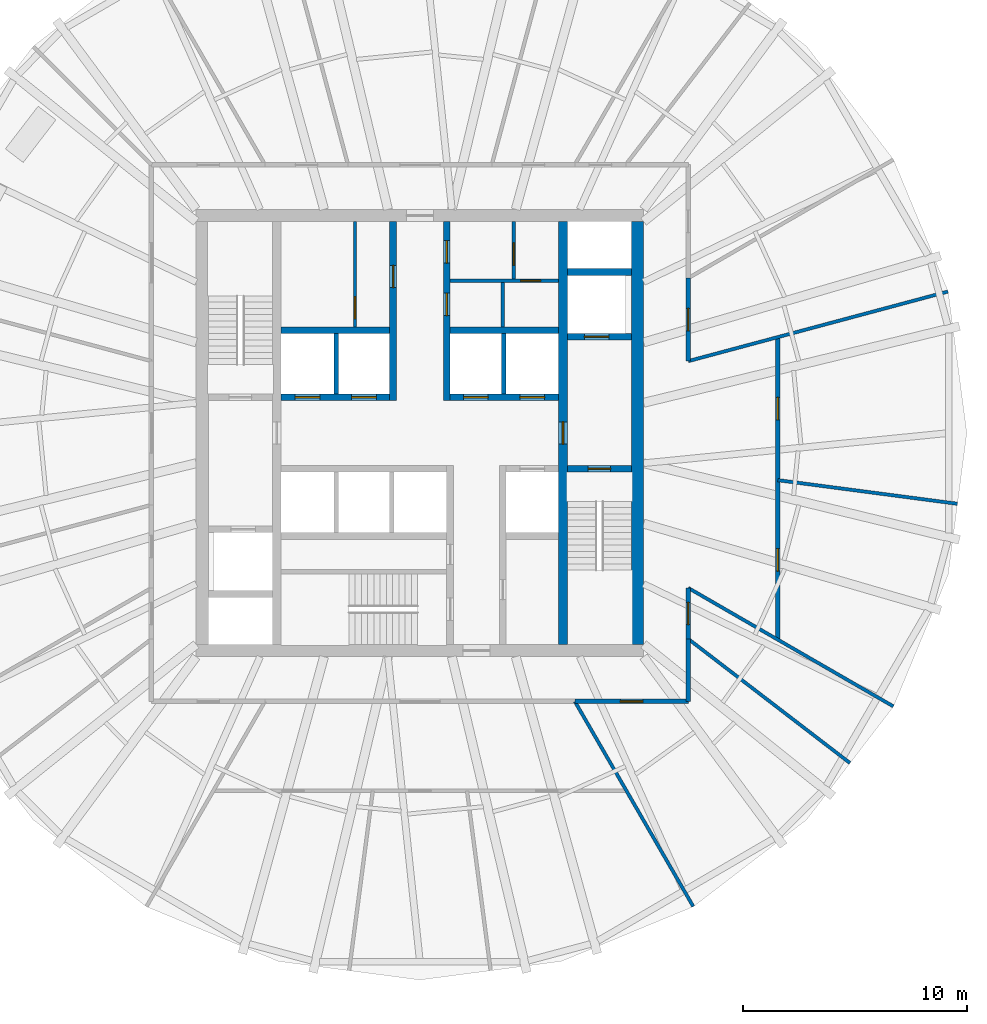
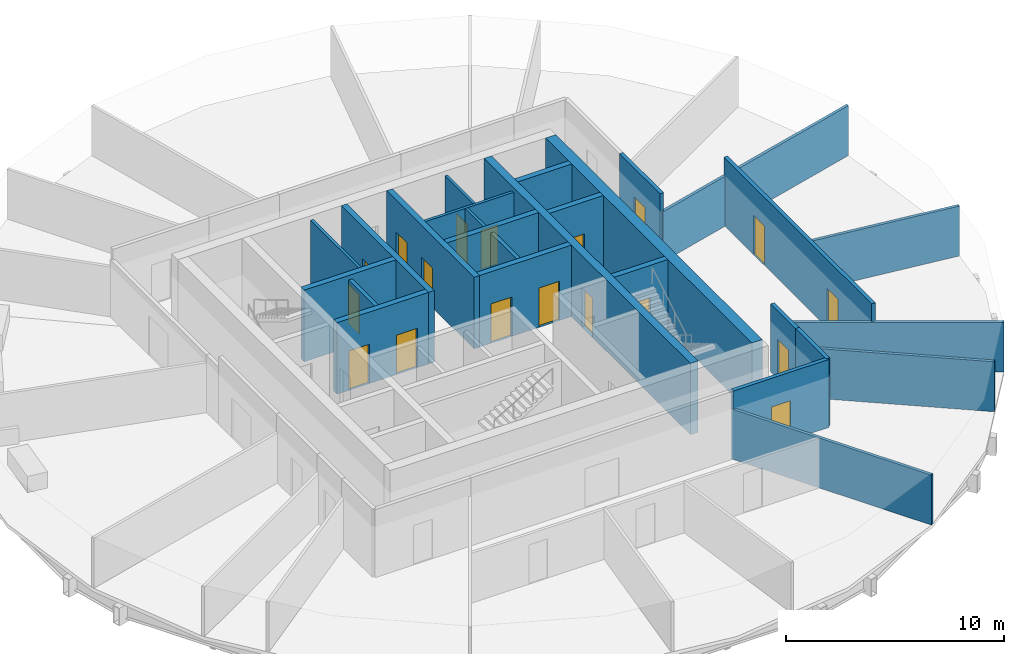
# One storey, part 4 of 7: 27 walls, 18 doors, 18 openings.
"""IFC4 building model written with IfcOpenShell, lengths in metres."""

from ifc_helpers import new_model, si_unit, direction, frame, frame_2d, origin, place, context, subcontext, project, spatial, rectangle, extrude, material, layer, layer_set, type_object, element, fill, save


model = new_model("IFC4")

# Units and contexts
model_context = context("Model", 3, precision=1e-05, world=origin(), true_north=direction((0.0, 1.0)))
body_context = subcontext(model_context, "Body", "Model", "MODEL_VIEW")
ifc_project = project(units=[si_unit("LENGTHUNIT", "METRE"), si_unit("AREAUNIT", "SQUARE_METRE"), si_unit("VOLUMEUNIT", "CUBIC_METRE"), si_unit("PLANEANGLEUNIT", "RADIAN"), si_unit("MASSUNIT", "GRAM", prefix="KILO")], contexts=[model_context])

# Site, building, storey
site_placement = place(None, origin())
site = spatial("IfcSite", under=ifc_project, at=site_placement, CompositionType="ELEMENT")
building_placement = place(site_placement, origin())
building = spatial("IfcBuilding", under=site, at=building_placement, Name="Golbaran Civic Tower", CompositionType="ELEMENT")
storey_placement = place(building_placement, frame((0.0, 0.0, 130.0)))
storey = spatial("IfcBuildingStorey", under=building, at=storey_placement, Name="L31", CompositionType="ELEMENT", Elevation=130.0)

# Wall, opening, door
ifc_material_1 = material(Name="Concrete block", Category="concrete")
ifc_layer_1 = layer(ifc_material_1, 0.14990234375, Name="Concrete block")
ifc_layer_set_1 = layer_set([ifc_layer_1], Name="Concrete block")
wall_type_1 = type_object("IfcWallType", Name="BLOCKWORK PARTITION 150", PredefinedType="PARTITIONING", material=ifc_layer_set_1)
wall_1_placement = place(storey_placement, frame((1.35009765625, 6.800048828125, 0.0), z_axis=(0.0, 0.0, 1.0), x_axis=(1.0, 0.0, 0.0)))
wall_1 = element("IfcWall", 1, at=wall_1_placement, inside=storey, type_object=wall_type_1, Name="Toilet block partition TN1 L31", PredefinedType="PARTITIONING", context=body_context, shape_type="SweptSolid", body=[
    extrude(rectangle(XDim=4.849853515625, YDim=0.14990234375, at=frame_2d((2.4248046875, 0.0))), origin(), (0.0, 0.0, 1.0), 3.75),
])
opening_1_placement = place(wall_1_placement, frame((3.14990234375, 0.0, 0.0)))
opening_1 = element("IfcOpeningElement", 2, at=opening_1_placement, cuts=wall_1, Name="Opening L31.CLN", PredefinedType="OPENING", context=body_context, shape_type="SweptSolid", body=[
    extrude(rectangle(XDim=0.89990234375, YDim=2.199951171875, at=frame_2d((0.449951171875, 1.10009765625))), frame((0.0, 0.0849609375, 0.0), z_axis=(0.0, -1.0, 0.0), x_axis=(1.0, 0.0, 0.0)), (0.0, 0.0, 1.0), 0.169921875),
])
ifc_material_2 = material(Name="Timber door set in steel frame", Category="steel")
door_type_1 = type_object("IfcDoorType", Name="RISER DOOR 900x2200", OperationType="SINGLE_SWING_LEFT", PredefinedType="DOOR", material=ifc_material_2)
door_1_placement = place(opening_1_placement, origin())
door_1 = element("IfcDoor", 3, at=door_1_placement, inside=storey, type_object=door_type_1, Name="Sanitary Supplies Store door", OperationType="SINGLE_SWING_RIGHT", OverallHeight=2.199951171875, OverallWidth=0.89990234375, PredefinedType="DOOR", context=body_context, shape_type="SweptSolid", body=[
    extrude(rectangle(XDim=0.89990234375, YDim=2.199951171875, at=frame_2d((0.449951171875, 1.10009765625))), frame((0.0, 0.02490234375, 0.0), z_axis=(0.0, -1.0, 0.0), x_axis=(1.0, 0.0, 0.0)), (0.0, 0.0, 1.0), 0.050048828125),
])
fill(opening_1, door_1)

# Wall
wall_2_placement = place(storey_placement, frame((3.699951171875, 4.75, 0.0), z_axis=(0.0, 0.0, 1.0), x_axis=(0.0, 1.0, 0.0)))
element("IfcWall", 4, at=wall_2_placement, inside=storey, type_object=wall_type_1, Name="Toilet block partition TN2 L31", PredefinedType="PARTITIONING", context=body_context, shape_type="SweptSolid", body=[
    extrude(rectangle(XDim=1.97509765625, YDim=0.14990234375, at=frame_2d((0.987548828125, 0.0))), origin(), (0.0, 0.0, 1.0), 3.75),
])

# Wall, opening, door
ifc_material_3 = material(Name="Concrete C50/60", Category="concrete")
ifc_layer_2 = layer(ifc_material_3, 0.39990234375, Name="Concrete C50/60")
ifc_layer_set_2 = layer_set([ifc_layer_2], Name="Concrete C50/60")
wall_type_2 = type_object("IfcWallType", Name="CORE WALL CONCRETE 400", PredefinedType="SOLIDWALL", material=ifc_layer_set_2)
wall_3_placement = place(storey_placement, frame((6.39990234375, 9.449951171875, 0.0), z_axis=(0.0, 0.0, 1.0), x_axis=(0.0, -1.0, 0.0)))
wall_3 = element("IfcWall", 5, at=wall_3_placement, inside=storey, type_object=wall_type_2, Name="Core wall IE L31", PredefinedType="SOLIDWALL", context=body_context, shape_type="SweptSolid", body=[
    extrude(rectangle(XDim=18.89990234375, YDim=0.39990234375, at=frame_2d((9.449951171875, 0.0))), origin(), (0.0, 0.0, 1.0), 4.0),
])
opening_2_placement = place(wall_3_placement, frame((8.949951171875, 0.0, 0.0)))
opening_2 = element("IfcOpeningElement", 6, at=opening_2_placement, cuts=wall_3, Name="Opening L31.FL2", PredefinedType="OPENING", context=body_context, shape_type="SweptSolid", body=[
    extrude(rectangle(XDim=1.0, YDim=2.199951171875, at=frame_2d((0.5, 1.10009765625))), frame((0.0, 0.2099609375, 0.0), z_axis=(0.0, -1.0, 0.0), x_axis=(1.0, 0.0, 0.0)), (0.0, 0.0, 1.0), 0.419921875),
])
door_type_2 = type_object("IfcDoorType", Name="STAIR DOOR 1000x2200", OperationType="SINGLE_SWING_LEFT", PredefinedType="DOOR", material=ifc_material_2)
door_2_placement = place(opening_2_placement, origin())
door_2 = element("IfcDoor", 7, at=door_2_placement, inside=storey, type_object=door_type_2, Name="Fire-fighting lobby FL2 door", OperationType="SINGLE_SWING_RIGHT", OverallHeight=2.199951171875, OverallWidth=1.0, PredefinedType="DOOR", context=body_context, shape_type="SweptSolid", body=[
    extrude(rectangle(XDim=1.0, YDim=2.199951171875, at=frame_2d((0.5, 1.10009765625))), frame((0.0, 0.02490234375, 0.0), z_axis=(0.0, -1.0, 0.0), x_axis=(1.0, 0.0, 0.0)), (0.0, 0.0, 1.0), 0.050048828125),
])
fill(opening_2, door_2)

# Wall
ifc_layer_3 = layer(ifc_material_3, 0.550048828125, Name="Concrete C50/60")
ifc_layer_set_3 = layer_set([ifc_layer_3], Name="Concrete C50/60")
wall_type_3 = type_object("IfcWallType", Name="CORE WALL CONCRETE 550", PredefinedType="SOLIDWALL", material=ifc_layer_set_3)
wall_4_placement = place(storey_placement, frame((9.72509765625, -9.449951171875, 0.0), z_axis=(0.0, 0.0, 1.0), x_axis=(0.0, 1.0, 0.0)))
element("IfcWall", 8, at=wall_4_placement, inside=storey, type_object=wall_type_3, Name="Core wall CE L31", PredefinedType="SOLIDWALL", context=body_context, shape_type="SweptSolid", body=[
    extrude(rectangle(XDim=18.89990234375, YDim=0.550048828125, at=frame_2d((9.449951171875, 0.0))), origin(), (0.0, 0.0, 1.0), 4.0),
])

# Wall, opening, door
ifc_material_4 = material(Name="Gypsum board on steel studs, fire-rated", Category="steel")
ifc_layer_4 = layer(ifc_material_4, 0.199951171875, Name="Gypsum board on steel studs, fire-rated")
ifc_layer_set_4 = layer_set([ifc_layer_4], Name="Gypsum board on steel studs, fire-rated")
wall_type_4 = type_object("IfcWallType", Name="CORRIDOR WALL 200", PredefinedType="PARTITIONING", material=ifc_layer_set_4)
wall_5_placement = place(storey_placement, frame((12.0, 3.21533203125, 0.0), z_axis=(0.0, 0.0, 1.0), x_axis=(0.0, 1.0, 0.0)))
wall_5 = element("IfcWall", 9, at=wall_5_placement, inside=storey, type_object=wall_type_4, Name="Corridor wall L31", PredefinedType="PARTITIONING", context=body_context, shape_type="SweptSolid", body=[
    extrude(rectangle(XDim=3.712890625, YDim=0.199951171875, at=frame_2d((1.8564453125, 0.0))), origin(), (0.0, 0.0, 1.0), 3.800048828125),
])
opening_3_placement = place(wall_5_placement, frame((1.3564453125, 0.0, 0.0)))
opening_3 = element("IfcOpeningElement", 10, at=opening_3_placement, cuts=wall_5, Name="Opening L31.07", PredefinedType="OPENING", context=body_context, shape_type="SweptSolid", body=[
    extrude(rectangle(XDim=1.0, YDim=2.199951171875, at=frame_2d((0.5, 1.10009765625))), frame((0.0, 0.10986328125, 0.0), z_axis=(0.0, -1.0, 0.0), x_axis=(1.0, 0.0, 0.0)), (0.0, 0.0, 1.0), 0.219970703125),
])
door_type_3 = type_object("IfcDoorType", Name="OFFICE DOOR 1000x2200", OperationType="SINGLE_SWING_LEFT", PredefinedType="DOOR", material=ifc_material_2)
door_3_placement = place(opening_3_placement, origin())
door_3 = element("IfcDoor", 11, at=door_3_placement, inside=storey, type_object=door_type_3, Name="Project Room door L31", OperationType="SINGLE_SWING_LEFT", OverallHeight=2.199951171875, OverallWidth=1.0, PredefinedType="DOOR", context=body_context, shape_type="SweptSolid", body=[
    extrude(rectangle(XDim=1.0, YDim=2.199951171875, at=frame_2d((0.5, 1.10009765625))), frame((0.0, 0.02490234375, 0.0), z_axis=(0.0, -1.0, 0.0), x_axis=(1.0, 0.0, 0.0)), (0.0, 0.0, 1.0), 0.050048828125),
])
fill(opening_3, door_3)

wall_6_placement = place(storey_placement, frame((6.92822265625, -12.0, 0.0), z_axis=(0.0, 0.0, 1.0), x_axis=(1.0, 0.0, 0.0)))
wall_6 = element("IfcWall", 12, at=wall_6_placement, inside=storey, type_object=wall_type_4, Name="Corridor wall L31", PredefinedType="PARTITIONING", context=body_context, shape_type="SweptSolid", body=[
    extrude(rectangle(XDim=5.07177734375, YDim=0.199951171875, at=frame_2d((2.535888671875, 0.0))), origin(), (0.0, 0.0, 1.0), 3.800048828125),
])
opening_4_placement = place(wall_6_placement, frame((2.035888671875, 0.0, 0.0)))
opening_4 = element("IfcOpeningElement", 13, at=opening_4_placement, cuts=wall_6, Name="Opening L31.20", PredefinedType="OPENING", context=body_context, shape_type="SweptSolid", body=[
    extrude(rectangle(XDim=1.0, YDim=2.199951171875, at=frame_2d((0.5, 1.10009765625))), frame((0.0, 0.10986328125, 0.0), z_axis=(0.0, -1.0, 0.0), x_axis=(1.0, 0.0, 0.0)), (0.0, 0.0, 1.0), 0.219970703125),
])
door_4_placement = place(opening_4_placement, origin())
door_4 = element("IfcDoor", 14, at=door_4_placement, inside=storey, type_object=door_type_3, Name="Pantry door L31", OperationType="SINGLE_SWING_LEFT", OverallHeight=2.199951171875, OverallWidth=1.0, PredefinedType="DOOR", context=body_context, shape_type="SweptSolid", body=[
    extrude(rectangle(XDim=1.0, YDim=2.199951171875, at=frame_2d((0.5, 1.10009765625))), frame((0.0, 0.02490234375, 0.0), z_axis=(0.0, -1.0, 0.0), x_axis=(1.0, 0.0, 0.0)), (0.0, 0.0, 1.0), 0.050048828125),
])
fill(opening_4, door_4)

# Wall
wall_7_placement = place(storey_placement, frame((12.0, -12.0, 0.0), z_axis=(0.0, 0.0, 1.0), x_axis=(0.0, 1.0, 0.0)))
element("IfcWall", 15, at=wall_7_placement, inside=storey, type_object=wall_type_4, Name="Corridor wall L31", PredefinedType="PARTITIONING", context=body_context, shape_type="SweptSolid", body=[
    extrude(rectangle(XDim=2.7919921875, YDim=0.199951171875, at=frame_2d((1.39599609375, 0.0))), origin(), (0.0, 0.0, 1.0), 3.800048828125),
])

# Wall, opening, door
wall_8_placement = place(storey_placement, frame((12.0, -9.2080078125, 0.0), z_axis=(0.0, 0.0, 1.0), x_axis=(0.0, 1.0, 0.0)))
wall_8 = element("IfcWall", 16, at=wall_8_placement, inside=storey, type_object=wall_type_4, Name="Corridor wall L31", PredefinedType="PARTITIONING", context=body_context, shape_type="SweptSolid", body=[
    extrude(rectangle(XDim=2.27978515625, YDim=0.199951171875, at=frame_2d((1.139892578125, 0.0))), origin(), (0.0, 0.0, 1.0), 3.800048828125),
])
opening_5_placement = place(wall_8_placement, frame((0.639892578125, 0.0, 0.0)))
opening_5 = element("IfcOpeningElement", 17, at=opening_5_placement, cuts=wall_8, Name="Opening L31.21", PredefinedType="OPENING", context=body_context, shape_type="SweptSolid", body=[
    extrude(rectangle(XDim=1.0, YDim=2.199951171875, at=frame_2d((0.5, 1.10009765625))), frame((0.0, 0.10986328125, 0.0), z_axis=(0.0, -1.0, 0.0), x_axis=(1.0, 0.0, 0.0)), (0.0, 0.0, 1.0), 0.219970703125),
])
door_5_placement = place(opening_5_placement, origin())
door_5 = element("IfcDoor", 18, at=door_5_placement, inside=storey, type_object=door_type_3, Name="Prayer Room door L31", OperationType="SINGLE_SWING_LEFT", OverallHeight=2.199951171875, OverallWidth=1.0, PredefinedType="DOOR", context=body_context, shape_type="SweptSolid", body=[
    extrude(rectangle(XDim=1.0, YDim=2.199951171875, at=frame_2d((0.5, 1.10009765625))), frame((0.0, 0.02490234375, 0.0), z_axis=(0.0, -1.0, 0.0), x_axis=(1.0, 0.0, 0.0)), (0.0, 0.0, 1.0), 0.050048828125),
])
fill(opening_5, door_5)

# Wall, openings, doors
ifc_material_5 = material(Name="Gypsum board on steel studs, fire-rated, glazed panels", Category="steel")
ifc_layer_5 = layer(ifc_material_5, 0.199951171875, Name="Gypsum board on steel studs, fire-rated, glazed panels")
ifc_layer_set_5 = layer_set([ifc_layer_5], Name="Gypsum board on steel studs, fire-rated, glazed panels")
wall_type_5 = type_object("IfcWallType", Name="GALLERY WALL 200", PredefinedType="PARTITIONING", material=ifc_layer_set_5)
wall_9_placement = place(storey_placement, frame((16.0, -9.237548828125, 0.0), z_axis=(0.0, 0.0, 1.0), x_axis=(0.0, 1.0, 0.0)))
wall_9 = element("IfcWall", 19, at=wall_9_placement, inside=storey, type_object=wall_type_5, Name="Gallery wall L31", PredefinedType="PARTITIONING", context=body_context, shape_type="SweptSolid", body=[
    extrude(rectangle(XDim=13.524658203125, YDim=0.199951171875, at=frame_2d((6.76220703125, 0.0))), origin(), (0.0, 0.0, 1.0), 3.800048828125),
])
opening_6_placement = place(wall_9_placement, frame((3.065673828125, 0.0, 0.0)))
opening_6 = element("IfcOpeningElement", 20, at=opening_6_placement, cuts=wall_9, Name="Opening L31.01", PredefinedType="OPENING", context=body_context, shape_type="SweptSolid", body=[
    extrude(rectangle(XDim=1.0, YDim=2.199951171875, at=frame_2d((0.5, 1.10009765625))), frame((0.0, 0.10986328125, 0.0), z_axis=(0.0, -1.0, 0.0), x_axis=(1.0, 0.0, 0.0)), (0.0, 0.0, 1.0), 0.219970703125),
])
opening_7_placement = place(wall_9_placement, frame((9.827880859375, 0.0, 0.0)))
opening_7 = element("IfcOpeningElement", 21, at=opening_7_placement, cuts=wall_9, Name="Opening L31.02", PredefinedType="OPENING", context=body_context, shape_type="SweptSolid", body=[
    extrude(rectangle(XDim=1.0, YDim=2.199951171875, at=frame_2d((0.5, 1.10009765625))), frame((0.0, 0.10986328125, 0.0), z_axis=(0.0, -1.0, 0.0), x_axis=(1.0, 0.0, 0.0)), (0.0, 0.0, 1.0), 0.219970703125),
])
door_6_placement = place(opening_6_placement, origin())
door_6 = element("IfcDoor", 22, at=door_6_placement, inside=storey, type_object=door_type_3, Name="Office door L31", OperationType="SINGLE_SWING_LEFT", OverallHeight=2.199951171875, OverallWidth=1.0, PredefinedType="DOOR", context=body_context, shape_type="SweptSolid", body=[
    extrude(rectangle(XDim=1.0, YDim=2.199951171875, at=frame_2d((0.5, 1.10009765625))), frame((0.0, 0.02490234375, 0.0), z_axis=(0.0, -1.0, 0.0), x_axis=(1.0, 0.0, 0.0)), (0.0, 0.0, 1.0), 0.050048828125),
])
fill(opening_6, door_6)
door_7_placement = place(opening_7_placement, origin())
door_7 = element("IfcDoor", 23, at=door_7_placement, inside=storey, type_object=door_type_3, Name="Office door L31", OperationType="SINGLE_SWING_RIGHT", OverallHeight=2.199951171875, OverallWidth=1.0, PredefinedType="DOOR", context=body_context, shape_type="SweptSolid", body=[
    extrude(rectangle(XDim=1.0, YDim=2.199951171875, at=frame_2d((0.5, 1.10009765625))), frame((0.0, 0.02490234375, 0.0), z_axis=(0.0, -1.0, 0.0), x_axis=(1.0, 0.0, 0.0)), (0.0, 0.0, 1.0), 0.050048828125),
])
fill(opening_7, door_7)

# Walls
ifc_layer_6 = layer(ifc_material_1, 0.199951171875, Name="Concrete block")
ifc_layer_set_6 = layer_set([ifc_layer_6], Name="Concrete block")
wall_type_6 = type_object("IfcWallType", Name="LIFT SEPARATOR WALL 200", PredefinedType="SOLIDWALL", material=ifc_layer_set_6)
for number, where, z_axis, x_axis, name in (
    (24, (-3.75, 1.75, 0.0), (0.0, 0.0, 1.0), (0.0, 1.0, 0.0), "Core partition SNW L31"),
    (25, (3.75, 1.75, 0.0), (0.0, 0.0, 1.0), (0.0, 1.0, 0.0), "Core partition SNE L31"),
):
    element("IfcWall", number, at=place(storey_placement, frame(where, z_axis=z_axis, x_axis=x_axis)), inside=storey, type_object=wall_type_6, Name=name, PredefinedType="SOLIDWALL", context=body_context, shape_type="SweptSolid", body=[
        extrude(rectangle(XDim=2.699951171875, YDim=0.199951171875, at=frame_2d((1.35009765625, 0.0))), origin(), (0.0, 0.0, 1.0), 3.75),
    ])
ifc_material_6 = material(Name="Gypsum board on steel studs", Category="steel")
ifc_layer_7 = layer(ifc_material_6, 0.14990234375, Name="Gypsum board on steel studs")
ifc_layer_set_7 = layer_set([ifc_layer_7], Name="Gypsum board on steel studs")
wall_type_7 = type_object("IfcWallType", Name="OFFICE PARTITION 150", PredefinedType="PARTITIONING", material=ifc_layer_set_7)
wall_10_placement = place(storey_placement, frame((12.0, -6.92822265625, 0.0), z_axis=(0.0, 0.0, 1.0), x_axis=(0.866023526577, -0.500003251404, 0.0)))
element("IfcWall", 26, at=wall_10_placement, inside=storey, type_object=wall_type_7, Name="Partition 330 L31", PredefinedType="PARTITIONING", context=body_context, shape_type="SweptSolid", body=[
    extrude(rectangle(XDim=10.5869140625, YDim=0.14990234375, at=frame_2d((5.29345703125, 0.0))), origin(), (0.0, 0.0, 1.0), 2.7900390625),
])
wall_11_placement = place(storey_placement, frame((12.0, 3.21533203125, 0.0), z_axis=(0.0, 0.0, 1.0), x_axis=(0.965923753467, 0.258826780857, 0.0)))
element("IfcWall", 27, at=wall_11_placement, inside=storey, type_object=wall_type_7, Name="Partition 15 L31", PredefinedType="PARTITIONING", context=body_context, shape_type="SweptSolid", body=[
    extrude(rectangle(XDim=12.02001953125, YDim=0.14990234375, at=frame_2d((6.010009765625, 0.0))), origin(), (0.0, 0.0, 1.0), 2.7900390625),
])
wall_12_placement = place(storey_placement, frame((6.92822265625, -12.0, 0.0), z_axis=(0.0, 0.0, 1.0), x_axis=(0.500003251404, -0.866023526577, 0.0)))
element("IfcWall", 28, at=wall_12_placement, inside=storey, type_object=wall_type_7, Name="Partition 300 L31", PredefinedType="PARTITIONING", context=body_context, shape_type="SweptSolid", body=[
    extrude(rectangle(XDim=10.5869140625, YDim=0.14990234375, at=frame_2d((5.29345703125, 0.0))), origin(), (0.0, 0.0, 1.0), 2.7900390625),
])
wall_13_placement = place(storey_placement, frame((12.0, -9.2080078125, 0.0), z_axis=(0.0, 0.0, 1.0), x_axis=(0.793367728965, -0.608742676865, 0.0)))
element("IfcWall", 29, at=wall_13_placement, inside=storey, type_object=wall_type_7, Name="Partition 322.5 L31", PredefinedType="PARTITIONING", context=body_context, shape_type="SweptSolid", body=[
    extrude(rectangle(XDim=9.1083984375, YDim=0.14990234375, at=frame_2d((4.55419921875, 0.0))), origin(), (0.0, 0.0, 1.0), 2.7900390625),
])
wall_14_placement = place(storey_placement, frame((16.0, -2.1064453125, 0.0), z_axis=(0.0, 0.0, 1.0), x_axis=(0.99144669858, -0.130512236494, 0.0)))
element("IfcWall", 30, at=wall_14_placement, inside=storey, type_object=wall_type_7, Name="Partition 352.5 L31", PredefinedType="PARTITIONING", context=body_context, shape_type="SweptSolid", body=[
    extrude(rectangle(XDim=8.09619140625, YDim=0.14990234375, at=frame_2d((4.048095703125, 0.0))), origin(), (0.0, 0.0, 1.0), 2.7900390625),
])

# Wall, openings, doors
ifc_layer_8 = layer(ifc_material_3, 0.300048828125, Name="Concrete C50/60")
ifc_layer_set_8 = layer_set([ifc_layer_8], Name="Concrete C50/60")
wall_type_8 = type_object("IfcWallType", Name="SHAFT WALL CONCRETE 300", PredefinedType="SOLIDWALL", material=ifc_layer_set_8)
wall_15_placement = place(storey_placement, frame((-6.199951171875, 1.60009765625, 0.0), z_axis=(0.0, 0.0, 1.0), x_axis=(1.0, 0.0, 0.0)))
wall_15 = element("IfcWall", 31, at=wall_15_placement, inside=storey, type_object=wall_type_8, Name="Core wall FNW L31", PredefinedType="SOLIDWALL", context=body_context, shape_type="SweptSolid", body=[
    extrude(rectangle(XDim=4.849853515625, YDim=0.300048828125, at=frame_2d((2.4248046875, 0.0))), origin(), (0.0, 0.0, 1.0), 4.0),
])
opening_8_placement = place(wall_15_placement, frame((0.625, 0.0, 0.0)))
opening_8 = element("IfcOpeningElement", 32, at=opening_8_placement, cuts=wall_15, Name="Opening L31.LD-Z1M", PredefinedType="OPENING", context=body_context, shape_type="SweptSolid", body=[
    extrude(rectangle(XDim=1.10009765625, YDim=2.199951171875, at=frame_2d((0.550048828125, 1.10009765625))), frame((0.0, 0.159912109375, 0.0), z_axis=(0.0, -1.0, 0.0), x_axis=(1.0, 0.0, 0.0)), (0.0, 0.0, 1.0), 0.320068359375),
])
opening_9_placement = place(wall_15_placement, frame((3.14990234375, 0.0, 0.0)))
opening_9 = element("IfcOpeningElement", 33, at=opening_9_placement, cuts=wall_15, Name="Opening L31.LD-Z2M", PredefinedType="OPENING", context=body_context, shape_type="SweptSolid", body=[
    extrude(rectangle(XDim=1.10009765625, YDim=2.199951171875, at=frame_2d((0.550048828125, 1.10009765625))), frame((0.0, 0.159912109375, 0.0), z_axis=(0.0, -1.0, 0.0), x_axis=(1.0, 0.0, 0.0)), (0.0, 0.0, 1.0), 0.320068359375),
])
ifc_material_7 = material(Name="Stainless steel", Category="steel")
door_type_4 = type_object("IfcDoorType", Name="LIFT LANDING DOOR 1100x2200", OperationType="SLIDING_TO_LEFT", PredefinedType="DOOR", material=ifc_material_7)
door_8_placement = place(opening_8_placement, origin())
door_8 = element("IfcDoor", 34, at=door_8_placement, inside=storey, type_object=door_type_4, Name="Lift landing door Z1M", OperationType="SLIDING_TO_LEFT", OverallHeight=2.199951171875, OverallWidth=1.10009765625, PredefinedType="DOOR", context=body_context, shape_type="SweptSolid", body=[
    extrude(rectangle(XDim=1.10009765625, YDim=2.199951171875, at=frame_2d((0.550048828125, 1.10009765625))), frame((0.0, 0.02490234375, 0.0), z_axis=(0.0, -1.0, 0.0), x_axis=(1.0, 0.0, 0.0)), (0.0, 0.0, 1.0), 0.050048828125),
])
fill(opening_8, door_8)
door_9_placement = place(opening_9_placement, origin())
door_9 = element("IfcDoor", 35, at=door_9_placement, inside=storey, type_object=door_type_4, Name="Lift landing door Z2M", OperationType="SLIDING_TO_LEFT", OverallHeight=2.199951171875, OverallWidth=1.10009765625, PredefinedType="DOOR", context=body_context, shape_type="SweptSolid", body=[
    extrude(rectangle(XDim=1.10009765625, YDim=2.199951171875, at=frame_2d((0.550048828125, 1.10009765625))), frame((0.0, 0.02490234375, 0.0), z_axis=(0.0, -1.0, 0.0), x_axis=(1.0, 0.0, 0.0)), (0.0, 0.0, 1.0), 0.050048828125),
])
fill(opening_9, door_9)

wall_16_placement = place(storey_placement, frame((1.35009765625, 1.60009765625, 0.0), z_axis=(0.0, 0.0, 1.0), x_axis=(1.0, 0.0, 0.0)))
wall_16 = element("IfcWall", 36, at=wall_16_placement, inside=storey, type_object=wall_type_8, Name="Core wall FNE L31", PredefinedType="SOLIDWALL", context=body_context, shape_type="SweptSolid", body=[
    extrude(rectangle(XDim=4.849853515625, YDim=0.300048828125, at=frame_2d((2.4248046875, 0.0))), origin(), (0.0, 0.0, 1.0), 4.0),
])
opening_10_placement = place(wall_16_placement, frame((0.60009765625, 0.0, 0.0)))
opening_10 = element("IfcOpeningElement", 37, at=opening_10_placement, cuts=wall_16, Name="Opening L31.LD-Z3M", PredefinedType="OPENING", context=body_context, shape_type="SweptSolid", body=[
    extrude(rectangle(XDim=1.10009765625, YDim=2.199951171875, at=frame_2d((0.550048828125, 1.10009765625))), frame((0.0, 0.159912109375, 0.0), z_axis=(0.0, -1.0, 0.0), x_axis=(1.0, 0.0, 0.0)), (0.0, 0.0, 1.0), 0.320068359375),
])
opening_11_placement = place(wall_16_placement, frame((3.125, 0.0, 0.0)))
opening_11 = element("IfcOpeningElement", 38, at=opening_11_placement, cuts=wall_16, Name="Opening L31.LD-Z4M", PredefinedType="OPENING", context=body_context, shape_type="SweptSolid", body=[
    extrude(rectangle(XDim=1.10009765625, YDim=2.199951171875, at=frame_2d((0.550048828125, 1.10009765625))), frame((0.0, 0.159912109375, 0.0), z_axis=(0.0, -1.0, 0.0), x_axis=(1.0, 0.0, 0.0)), (0.0, 0.0, 1.0), 0.320068359375),
])
door_10_placement = place(opening_10_placement, origin())
door_10 = element("IfcDoor", 39, at=door_10_placement, inside=storey, type_object=door_type_4, Name="Lift landing door Z3M", OperationType="SLIDING_TO_LEFT", OverallHeight=2.199951171875, OverallWidth=1.10009765625, PredefinedType="DOOR", context=body_context, shape_type="SweptSolid", body=[
    extrude(rectangle(XDim=1.10009765625, YDim=2.199951171875, at=frame_2d((0.550048828125, 1.10009765625))), frame((0.0, 0.02490234375, 0.0), z_axis=(0.0, -1.0, 0.0), x_axis=(1.0, 0.0, 0.0)), (0.0, 0.0, 1.0), 0.050048828125),
])
fill(opening_10, door_10)
door_11_placement = place(opening_11_placement, origin())
door_11 = element("IfcDoor", 40, at=door_11_placement, inside=storey, type_object=door_type_4, Name="Lift landing door Z4M", OperationType="SLIDING_TO_LEFT", OverallHeight=2.199951171875, OverallWidth=1.10009765625, PredefinedType="DOOR", context=body_context, shape_type="SweptSolid", body=[
    extrude(rectangle(XDim=1.10009765625, YDim=2.199951171875, at=frame_2d((0.550048828125, 1.10009765625))), frame((0.0, 0.02490234375, 0.0), z_axis=(0.0, -1.0, 0.0), x_axis=(1.0, 0.0, 0.0)), (0.0, 0.0, 1.0), 0.050048828125),
])
fill(opening_11, door_11)

# Walls
for number, where, z_axis, x_axis, name in (
    (41, (-6.199951171875, 4.60009765625, 0.0), (0.0, 0.0, 1.0), (1.0, 0.0, 0.0), "Core wall BNW L31"),
    (42, (1.35009765625, 4.60009765625, 0.0), (0.0, 0.0, 1.0), (1.0, 0.0, 0.0), "Core wall BNE L31"),
):
    element("IfcWall", number, at=place(storey_placement, frame(where, z_axis=z_axis, x_axis=x_axis)), inside=storey, type_object=wall_type_8, Name=name, PredefinedType="SOLIDWALL", context=body_context, shape_type="SweptSolid", body=[
        extrude(rectangle(XDim=4.849853515625, YDim=0.300048828125, at=frame_2d((2.4248046875, 0.0))), origin(), (0.0, 0.0, 1.0), 4.0),
    ])

# Wall, opening, door
wall_17_placement = place(storey_placement, frame((-1.199951171875, 1.449951171875, 0.0), z_axis=(0.0, 0.0, 1.0), x_axis=(0.0, 1.0, 0.0)))
wall_17 = element("IfcWall", 43, at=wall_17_placement, inside=storey, type_object=wall_type_8, Name="Core wall PNW L31", PredefinedType="SOLIDWALL", context=body_context, shape_type="SweptSolid", body=[
    extrude(rectangle(XDim=8.0, YDim=0.300048828125, at=frame_2d((4.0, 0.0))), origin(), (0.0, 0.0, 1.0), 4.0),
])
opening_12_placement = place(wall_17_placement, frame((5.050048828125, 0.0, 0.0)))
opening_12 = element("IfcOpeningElement", 44, at=opening_12_placement, cuts=wall_17, Name="Opening L31.WCM", PredefinedType="OPENING", context=body_context, shape_type="SweptSolid", body=[
    extrude(rectangle(XDim=1.0, YDim=2.199951171875, at=frame_2d((0.5, 1.10009765625))), frame((0.0, 0.159912109375, 0.0), z_axis=(0.0, -1.0, 0.0), x_axis=(1.0, 0.0, 0.0)), (0.0, 0.0, 1.0), 0.320068359375),
])
door_type_5 = type_object("IfcDoorType", Name="TOILET DOOR 1000x2200", OperationType="SINGLE_SWING_LEFT", PredefinedType="DOOR", material=ifc_material_2)
door_12_placement = place(opening_12_placement, origin())
door_12 = element("IfcDoor", 45, at=door_12_placement, inside=storey, type_object=door_type_5, Name="North-west toilet block door", OperationType="SINGLE_SWING_RIGHT", OverallHeight=2.199951171875, OverallWidth=1.0, PredefinedType="DOOR", context=body_context, shape_type="SweptSolid", body=[
    extrude(rectangle(XDim=1.0, YDim=2.199951171875, at=frame_2d((0.5, 1.10009765625))), frame((0.0, 0.02490234375, 0.0), z_axis=(0.0, -1.0, 0.0), x_axis=(1.0, 0.0, 0.0)), (0.0, 0.0, 1.0), 0.050048828125),
])
fill(opening_12, door_12)

# Wall, openings, doors
wall_18_placement = place(storey_placement, frame((1.199951171875, 1.449951171875, 0.0), z_axis=(0.0, 0.0, 1.0), x_axis=(0.0, 1.0, 0.0)))
wall_18 = element("IfcWall", 46, at=wall_18_placement, inside=storey, type_object=wall_type_8, Name="Core wall PNE L31", PredefinedType="SOLIDWALL", context=body_context, shape_type="SweptSolid", body=[
    extrude(rectangle(XDim=8.0, YDim=0.300048828125, at=frame_2d((4.0, 0.0))), origin(), (0.0, 0.0, 1.0), 4.0),
])
opening_13_placement = place(wall_18_placement, frame((3.800048828125, 0.0, 0.0)))
opening_13 = element("IfcOpeningElement", 47, at=opening_13_placement, cuts=wall_18, Name="Opening L31.WCA", PredefinedType="OPENING", context=body_context, shape_type="SweptSolid", body=[
    extrude(rectangle(XDim=1.0, YDim=2.199951171875, at=frame_2d((0.5, 1.10009765625))), frame((0.0, 0.159912109375, 0.0), z_axis=(0.0, -1.0, 0.0), x_axis=(1.0, 0.0, 0.0)), (0.0, 0.0, 1.0), 0.320068359375),
])
opening_14_placement = place(wall_18_placement, frame((6.14990234375, 0.0, 0.0)))
opening_14 = element("IfcOpeningElement", 48, at=opening_14_placement, cuts=wall_18, Name="Opening L31.WCF", PredefinedType="OPENING", context=body_context, shape_type="SweptSolid", body=[
    extrude(rectangle(XDim=1.0, YDim=2.199951171875, at=frame_2d((0.5, 1.10009765625))), frame((0.0, 0.159912109375, 0.0), z_axis=(0.0, -1.0, 0.0), x_axis=(1.0, 0.0, 0.0)), (0.0, 0.0, 1.0), 0.320068359375),
])
door_13_placement = place(opening_13_placement, origin())
door_13 = element("IfcDoor", 49, at=door_13_placement, inside=storey, type_object=door_type_5, Name="Accessible WC door", OperationType="SINGLE_SWING_RIGHT", OverallHeight=2.199951171875, OverallWidth=1.0, PredefinedType="DOOR", context=body_context, shape_type="SweptSolid", body=[
    extrude(rectangle(XDim=1.0, YDim=2.199951171875, at=frame_2d((0.5, 1.10009765625))), frame((0.0, 0.02490234375, 0.0), z_axis=(0.0, -1.0, 0.0), x_axis=(1.0, 0.0, 0.0)), (0.0, 0.0, 1.0), 0.050048828125),
])
fill(opening_13, door_13)
door_14_placement = place(opening_14_placement, origin())
door_14 = element("IfcDoor", 50, at=door_14_placement, inside=storey, type_object=door_type_5, Name="North-east toilet block door", OperationType="SINGLE_SWING_RIGHT", OverallHeight=2.199951171875, OverallWidth=1.0, PredefinedType="DOOR", context=body_context, shape_type="SweptSolid", body=[
    extrude(rectangle(XDim=1.0, YDim=2.199951171875, at=frame_2d((0.5, 1.10009765625))), frame((0.0, 0.02490234375, 0.0), z_axis=(0.0, -1.0, 0.0), x_axis=(1.0, 0.0, 0.0)), (0.0, 0.0, 1.0), 0.050048828125),
])
fill(opening_14, door_14)

# Wall, opening, door
wall_19_placement = place(storey_placement, frame((6.60009765625, -1.60009765625, 0.0), z_axis=(0.0, 0.0, 1.0), x_axis=(1.0, 0.0, 0.0)))
wall_19 = element("IfcWall", 51, at=wall_19_placement, inside=storey, type_object=wall_type_8, Name="Core wall XE1 L31", PredefinedType="SOLIDWALL", context=body_context, shape_type="SweptSolid", body=[
    extrude(rectangle(XDim=2.849853515625, YDim=0.300048828125, at=frame_2d((1.4248046875, 0.0))), origin(), (0.0, 0.0, 1.0), 4.0),
])
opening_15_placement = place(wall_19_placement, frame((0.925048828125, 0.0, 0.0)))
opening_15 = element("IfcOpeningElement", 52, at=opening_15_placement, cuts=wall_19, Name="Opening L31.S2", PredefinedType="OPENING", context=body_context, shape_type="SweptSolid", body=[
    extrude(rectangle(XDim=1.0, YDim=2.199951171875, at=frame_2d((0.5, 1.10009765625))), frame((0.0, 0.159912109375, 0.0), z_axis=(0.0, -1.0, 0.0), x_axis=(1.0, 0.0, 0.0)), (0.0, 0.0, 1.0), 0.320068359375),
])
door_15_placement = place(opening_15_placement, origin())
door_15 = element("IfcDoor", 53, at=door_15_placement, inside=storey, type_object=door_type_2, Name="Stair S2 door", OperationType="SINGLE_SWING_LEFT", OverallHeight=2.199951171875, OverallWidth=1.0, PredefinedType="DOOR", context=body_context, shape_type="SweptSolid", body=[
    extrude(rectangle(XDim=1.0, YDim=2.199951171875, at=frame_2d((0.5, 1.10009765625))), frame((0.0, 0.02490234375, 0.0), z_axis=(0.0, -1.0, 0.0), x_axis=(1.0, 0.0, 0.0)), (0.0, 0.0, 1.0), 0.050048828125),
])
fill(opening_15, door_15)

wall_20_placement = place(storey_placement, frame((6.60009765625, 4.300048828125, 0.0), z_axis=(0.0, 0.0, 1.0), x_axis=(1.0, 0.0, 0.0)))
wall_20 = element("IfcWall", 54, at=wall_20_placement, inside=storey, type_object=wall_type_8, Name="Core wall XE2 L31", PredefinedType="SOLIDWALL", context=body_context, shape_type="SweptSolid", body=[
    extrude(rectangle(XDim=2.849853515625, YDim=0.300048828125, at=frame_2d((1.4248046875, 0.0))), origin(), (0.0, 0.0, 1.0), 4.0),
])
opening_16_placement = place(wall_20_placement, frame((0.75, 0.0, 0.0)))
opening_16 = element("IfcOpeningElement", 55, at=opening_16_placement, cuts=wall_20, Name="Opening L31.LD-F2", PredefinedType="OPENING", context=body_context, shape_type="SweptSolid", body=[
    extrude(rectangle(XDim=1.10009765625, YDim=2.199951171875, at=frame_2d((0.550048828125, 1.10009765625))), frame((0.0, 0.159912109375, 0.0), z_axis=(0.0, -1.0, 0.0), x_axis=(1.0, 0.0, 0.0)), (0.0, 0.0, 1.0), 0.320068359375),
])
door_16_placement = place(opening_16_placement, origin())
door_16 = element("IfcDoor", 56, at=door_16_placement, inside=storey, type_object=door_type_4, Name="Lift landing door F2", OperationType="SLIDING_TO_LEFT", OverallHeight=2.199951171875, OverallWidth=1.10009765625, PredefinedType="DOOR", context=body_context, shape_type="SweptSolid", body=[
    extrude(rectangle(XDim=1.10009765625, YDim=2.199951171875, at=frame_2d((0.550048828125, 1.10009765625))), frame((0.0, 0.02490234375, 0.0), z_axis=(0.0, -1.0, 0.0), x_axis=(1.0, 0.0, 0.0)), (0.0, 0.0, 1.0), 0.050048828125),
])
fill(opening_16, door_16)

# Wall
wall_21_placement = place(storey_placement, frame((6.60009765625, 7.199951171875, 0.0), z_axis=(0.0, 0.0, 1.0), x_axis=(1.0, 0.0, 0.0)))
element("IfcWall", 57, at=wall_21_placement, inside=storey, type_object=wall_type_8, Name="Core wall XE3 L31", PredefinedType="SOLIDWALL", context=body_context, shape_type="SweptSolid", body=[
    extrude(rectangle(XDim=2.849853515625, YDim=0.300048828125, at=frame_2d((1.4248046875, 0.0))), origin(), (0.0, 0.0, 1.0), 4.0),
])

# Wall, opening, door
ifc_material_8 = material(Name="Moisture-resistant gypsum board on steel studs", Category="steel")
ifc_layer_9 = layer(ifc_material_8, 0.14990234375, Name="Moisture-resistant gypsum board on steel studs")
ifc_layer_set_9 = layer_set([ifc_layer_9], Name="Moisture-resistant gypsum board on steel studs")
wall_type_9 = type_object("IfcWallType", Name="TOILET BLOCK PARTITION 150", PredefinedType="PARTITIONING", material=ifc_layer_set_9)
wall_22_placement = place(storey_placement, frame((4.199951171875, 6.875, 0.0), z_axis=(0.0, 0.0, 1.0), x_axis=(0.0, 1.0, 0.0)))
wall_22 = element("IfcWall", 58, at=wall_22_placement, inside=storey, type_object=wall_type_9, Name="Toilet block partition TN3 L31", PredefinedType="PARTITIONING", context=body_context, shape_type="SweptSolid", body=[
    extrude(rectangle(XDim=2.574951171875, YDim=0.14990234375, at=frame_2d((1.28759765625, 0.0))), origin(), (0.0, 0.0, 1.0), 3.75),
])
opening_17_placement = place(wall_22_placement, frame((0.625, 0.0, 0.0)))
opening_17 = element("IfcOpeningElement", 59, at=opening_17_placement, cuts=wall_22, Name="Opening L31.06", PredefinedType="OPENING", context=body_context, shape_type="SweptSolid", body=[
    extrude(rectangle(XDim=1.0, YDim=2.199951171875, at=frame_2d((0.5, 1.10009765625))), frame((0.0, 0.0849609375, 0.0), z_axis=(0.0, -1.0, 0.0), x_axis=(1.0, 0.0, 0.0)), (0.0, 0.0, 1.0), 0.169921875),
])
door_17_placement = place(opening_17_placement, origin())
door_17 = element("IfcDoor", 60, at=door_17_placement, inside=storey, type_object=door_type_5, Name="Parents' room door", OperationType="SINGLE_SWING_LEFT", OverallHeight=2.199951171875, OverallWidth=1.0, PredefinedType="DOOR", context=body_context, shape_type="SweptSolid", body=[
    extrude(rectangle(XDim=1.0, YDim=2.199951171875, at=frame_2d((0.5, 1.10009765625))), frame((0.0, 0.02490234375, 0.0), z_axis=(0.0, -1.0, 0.0), x_axis=(1.0, 0.0, 0.0)), (0.0, 0.0, 1.0), 0.050048828125),
])
fill(opening_17, door_17)

wall_23_placement = place(storey_placement, frame((-2.89990234375, 4.75, 0.0), z_axis=(0.0, 0.0, 1.0), x_axis=(0.0, 1.0, 0.0)))
wall_23 = element("IfcWall", 61, at=wall_23_placement, inside=storey, type_object=wall_type_9, Name="Toilet block partition MWL L31", PredefinedType="PARTITIONING", context=body_context, shape_type="SweptSolid", body=[
    extrude(rectangle(XDim=4.699951171875, YDim=0.14990234375, at=frame_2d((2.35009765625, 0.0))), origin(), (0.0, 0.0, 1.0), 3.75),
])
opening_18_placement = place(wall_23_placement, frame((0.35009765625, 0.0, 0.0)))
opening_18 = element("IfcOpeningElement", 62, at=opening_18_placement, cuts=wall_23, Name="Opening L31.22", PredefinedType="OPENING", context=body_context, shape_type="SweptSolid", body=[
    extrude(rectangle(XDim=1.0, YDim=2.199951171875, at=frame_2d((0.5, 1.10009765625))), frame((0.0, 0.0849609375, 0.0), z_axis=(0.0, -1.0, 0.0), x_axis=(1.0, 0.0, 0.0)), (0.0, 0.0, 1.0), 0.169921875),
])
door_18_placement = place(opening_18_placement, origin())
door_18 = element("IfcDoor", 63, at=door_18_placement, inside=storey, type_object=door_type_5, Name="Male WC door", OperationType="SINGLE_SWING_LEFT", OverallHeight=2.199951171875, OverallWidth=1.0, PredefinedType="DOOR", context=body_context, shape_type="SweptSolid", body=[
    extrude(rectangle(XDim=1.0, YDim=2.199951171875, at=frame_2d((0.5, 1.10009765625))), frame((0.0, 0.02490234375, 0.0), z_axis=(0.0, -1.0, 0.0), x_axis=(1.0, 0.0, 0.0)), (0.0, 0.0, 1.0), 0.050048828125),
])
fill(opening_18, door_18)

save(model, "model.ifc")
